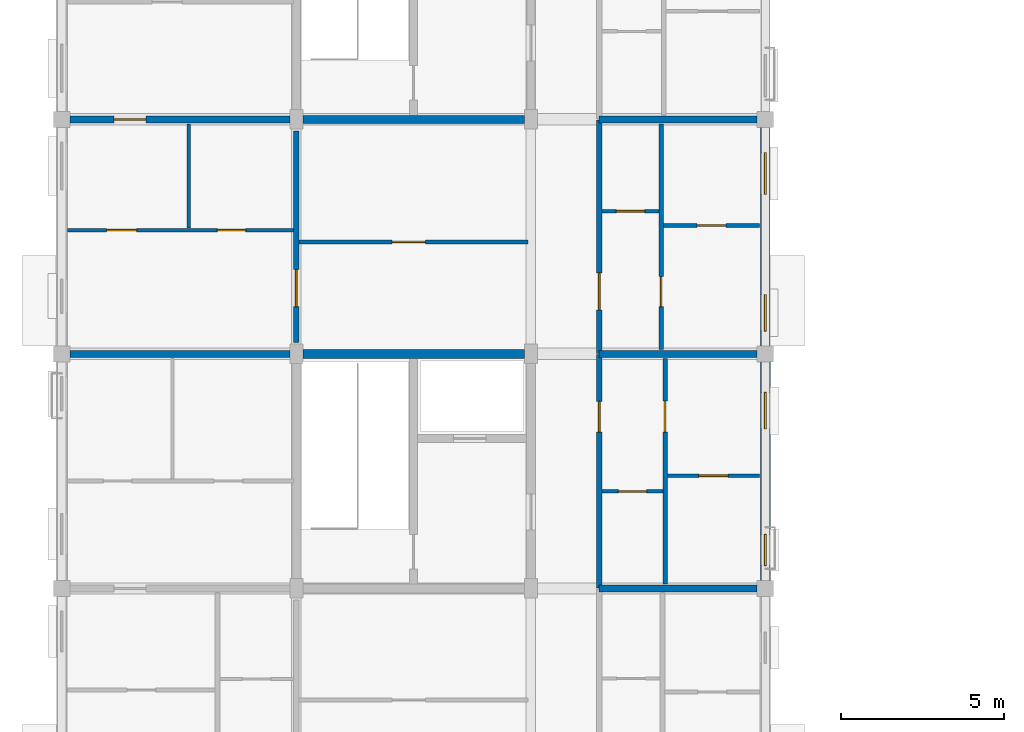
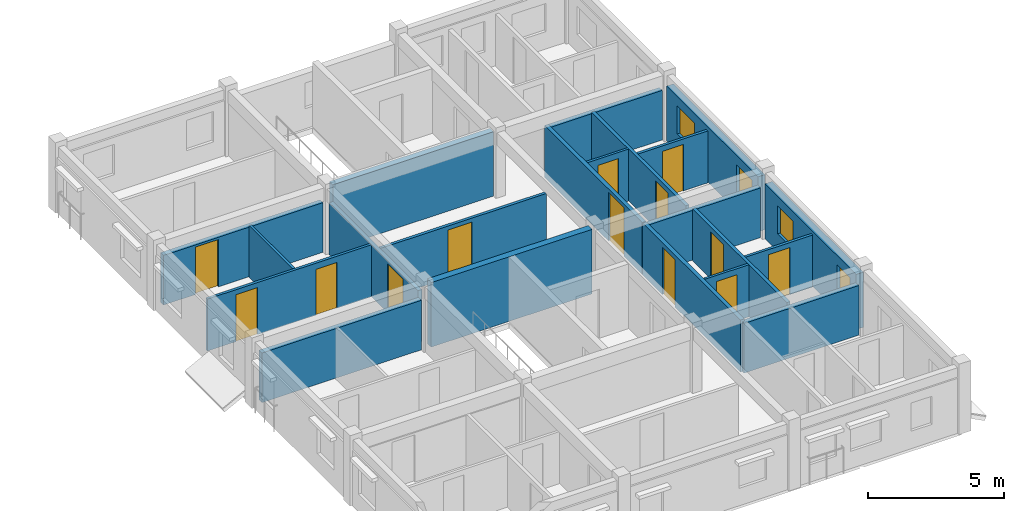
# One storey, part 45 of 64: 21 walls, 13 doors, 4 windows, 17 openings.
"""IFC4 building model written with IfcOpenShell, lengths in metres."""

from ifc_helpers import new_model, si_unit, direction, frame, frame_2d, origin, place, context, subcontext, project, spatial, rectangle, extrude, material, layer, layer_set, type_object, element, fill, save


model = new_model("IFC4")

# Units and contexts
model_context = context("Model", 3, precision=1e-05, world=origin(), true_north=direction((0.0, 1.0)))
body_context = subcontext(model_context, "Body", "Model", "MODEL_VIEW")
ifc_project = project(units=[si_unit("LENGTHUNIT", "METRE"), si_unit("AREAUNIT", "SQUARE_METRE"), si_unit("VOLUMEUNIT", "CUBIC_METRE"), si_unit("PLANEANGLEUNIT", "RADIAN"), si_unit("MASSUNIT", "GRAM", prefix="KILO"), si_unit("THERMODYNAMICTEMPERATUREUNIT", "KELVIN"), si_unit("POWERUNIT", "WATT")], contexts=[model_context])

# Site, building, storey
site_placement = place(None, origin())
site = spatial("IfcSite", under=ifc_project, at=site_placement, CompositionType="ELEMENT")
building_placement = place(site_placement, origin())
building = spatial("IfcBuilding", under=site, at=building_placement, Name="Tavuni Mirador Residences", CompositionType="ELEMENT")
storey_placement = place(building_placement, frame((0.0, 0.0, 26.550048828125)))
storey = spatial("IfcBuildingStorey", under=building, at=storey_placement, Name="L08", CompositionType="ELEMENT", Elevation=26.550048828125)

# Walls
ifc_material_1 = material(Name="Precast concrete C40/50", Category="concrete")
ifc_layer_1 = layer(ifc_material_1, 0.25, Name="Precast concrete C40/50", Category="concrete")
ifc_layer_set_1 = layer_set([ifc_layer_1], Name="Precast concrete C40/50")
wall_type_1 = type_object("IfcWallType", Name="WT-COR250", PredefinedType="SHEAR", material=ifc_layer_set_1)
wall_1_placement = place(storey_placement, frame((11.0, 86.39990234375, 0.0), z_axis=(0.0, 0.0, 1.0), x_axis=(1.0, 0.0, 0.0)))
element("IfcWall", 1, at=wall_1_placement, inside=storey, type_object=wall_type_1, Name="CWALL-C4-L08-SS", PredefinedType="SHEAR", context=body_context, shape_type="SweptSolid", body=[
    extrude(rectangle(XDim=6.800048828125, YDim=0.25, at=frame_2d((3.39990234375, 0.0))), origin(), (0.0, 0.0, 1.0), 2.889892578125),
])
ifc_layer_2 = layer(ifc_material_1, 0.280029296875, Name="Precast concrete C40/50", Category="concrete")
ifc_layer_set_2 = layer_set([ifc_layer_2], Name="Precast concrete C40/50")
wall_type_2 = type_object("IfcWallType", Name="WT-COR280", PredefinedType="SHEAR", material=ifc_layer_set_2)
wall_2_placement = place(storey_placement, frame((11.0, 79.199951171875, 0.0), z_axis=(0.0, 0.0, 1.0), x_axis=(1.0, 0.0, 0.0)))
element("IfcWall", 2, at=wall_2_placement, inside=storey, type_object=wall_type_2, Name="CWALL-C3-L08-N", PredefinedType="SHEAR", context=body_context, shape_type="SweptSolid", body=[
    extrude(rectangle(XDim=6.800048828125, YDim=0.280029296875, at=frame_2d((3.39990234375, 0.0))), origin(), (0.0, 0.0, 1.0), 2.889892578125),
])

# Wall, opening, door
ifc_layer_3 = layer(ifc_material_1, 0.1650390625, Name="Precast concrete C40/50", Category="concrete")
ifc_layer_set_3 = layer_set([ifc_layer_3], Name="Precast concrete C40/50")
wall_type_3 = type_object("IfcWallType", Name="WT-CORR165", PredefinedType="PARTITIONING", material=ifc_layer_set_3)
wall_3_placement = place(storey_placement, frame((20.10009765625, 72.02001953125, 0.0), z_axis=(0.0, 0.0, 1.0), x_axis=(0.0, 1.0, 0.0)))
wall_3 = element("IfcWall", 3, at=wall_3_placement, inside=storey, type_object=wall_type_3, Name="CORW-BLK-B-L08-0-01", PredefinedType="PARTITIONING", context=body_context, shape_type="SweptSolid", body=[
    extrude(rectangle(XDim=7.159912109375, YDim=0.1650390625, at=frame_2d((3.580078125, 0.0))), origin(), (0.0, 0.0, 1.0), 2.324951171875),
])
opening_1_placement = place(wall_3_placement, frame((4.780029296875, 0.0, 0.0)))
opening_1 = element("IfcOpeningElement", 4, at=opening_1_placement, cuts=wall_3, Name="Opening D-19", PredefinedType="OPENING", context=body_context, shape_type="SweptSolid", body=[
    extrude(rectangle(XDim=0.93994140625, YDim=2.1201171875, at=frame_2d((0.469970703125, 1.06005859375))), frame((0.0, 0.092529296875, 0.0), z_axis=(0.0, -1.0, 0.0), x_axis=(1.0, 0.0, 0.0)), (0.0, 0.0, 1.0), 0.18505859375),
])
ifc_material_2 = material(Name="Solid core iroko timber", Category="wood")
door_type_1 = type_object("IfcDoorType", Name="DT-FD60-940", OperationType="NOTDEFINED", PredefinedType="DOOR", material=ifc_material_2)
door_1_placement = place(opening_1_placement, origin())
door_1 = element("IfcDoor", 5, at=door_1_placement, inside=storey, type_object=door_type_1, Name="DR-2590", OperationType="SINGLE_SWING_LEFT", OverallHeight=2.1201171875, OverallWidth=0.93994140625, PredefinedType="DOOR", context=body_context, shape_type="SweptSolid", body=[
    extrude(rectangle(XDim=0.93994140625, YDim=2.1201171875, at=frame_2d((0.469970703125, 1.06005859375))), frame((0.0, 0.02490234375, 0.0), z_axis=(0.0, -1.0, 0.0), x_axis=(1.0, 0.0, 0.0)), (0.0, 0.0, 1.0), 0.050048828125),
])
fill(opening_1, door_1)

wall_4_placement = place(storey_placement, frame((20.10009765625, 79.219970703125, 0.0), z_axis=(0.0, 0.0, 1.0), x_axis=(0.0, 1.0, 0.0)))
wall_4 = element("IfcWall", 6, at=wall_4_placement, inside=storey, type_object=wall_type_3, Name="CORW-BLK-B-L08-0-02", PredefinedType="PARTITIONING", context=body_context, shape_type="SweptSolid", body=[
    extrude(rectangle(XDim=7.159912109375, YDim=0.1650390625, at=frame_2d((3.580078125, 0.0))), origin(), (0.0, 0.0, 1.0), 2.324951171875),
])
opening_2_placement = place(wall_4_placement, frame((1.330078125, 0.0, 0.0)))
opening_2 = element("IfcOpeningElement", 7, at=opening_2_placement, cuts=wall_4, Name="Opening D-20", PredefinedType="OPENING", context=body_context, shape_type="SweptSolid", body=[
    extrude(rectangle(XDim=1.139892578125, YDim=2.179931640625, at=frame_2d((0.56982421875, 1.08984375))), frame((0.0, 0.092529296875, 0.0), z_axis=(0.0, -1.0, 0.0), x_axis=(1.0, 0.0, 0.0)), (0.0, 0.0, 1.0), 0.18505859375),
])
door_type_2 = type_object("IfcDoorType", Name="DT-FD60-1140", OperationType="NOTDEFINED", PredefinedType="DOOR", material=ifc_material_2)
door_2_placement = place(opening_2_placement, origin())
door_2 = element("IfcDoor", 8, at=door_2_placement, inside=storey, type_object=door_type_2, Name="DR-2591", OperationType="SINGLE_SWING_RIGHT", OverallHeight=2.179931640625, OverallWidth=1.139892578125, PredefinedType="DOOR", context=body_context, shape_type="SweptSolid", body=[
    extrude(rectangle(XDim=1.139892578125, YDim=2.179931640625, at=frame_2d((0.56982421875, 1.08984375))), frame((0.0, 0.02490234375, 0.0), z_axis=(0.0, -1.0, 0.0), x_axis=(1.0, 0.0, 0.0)), (0.0, 0.0, 1.0), 0.050048828125),
])
fill(opening_2, door_2)

wall_5_placement = place(storey_placement, frame((10.800048828125, 79.550048828125, 0.0), z_axis=(0.0, 0.0, 1.0), x_axis=(0.0, 1.0, 0.0)))
wall_5 = element("IfcWall", 9, at=wall_5_placement, inside=storey, type_object=wall_type_3, Name="CORW-BLK-B-L08-1-02", PredefinedType="PARTITIONING", context=body_context, shape_type="SweptSolid", body=[
    extrude(rectangle(XDim=6.5, YDim=0.1650390625, at=frame_2d((3.25, 0.0))), origin(), (0.0, 0.0, 1.0), 2.324951171875),
])
opening_3_placement = place(wall_5_placement, frame((1.10009765625, 0.0, 0.0)))
opening_3 = element("IfcOpeningElement", 10, at=opening_3_placement, cuts=wall_5, Name="Opening D-20", PredefinedType="OPENING", context=body_context, shape_type="SweptSolid", body=[
    extrude(rectangle(XDim=1.139892578125, YDim=2.179931640625, at=frame_2d((0.56982421875, 1.08984375))), frame((0.0, 0.092529296875, 0.0), z_axis=(0.0, -1.0, 0.0), x_axis=(1.0, 0.0, 0.0)), (0.0, 0.0, 1.0), 0.18505859375),
])
door_3_placement = place(opening_3_placement, origin())
door_3 = element("IfcDoor", 11, at=door_3_placement, inside=storey, type_object=door_type_2, Name="DR-2594", OperationType="SINGLE_SWING_LEFT", OverallHeight=2.179931640625, OverallWidth=1.139892578125, PredefinedType="DOOR", context=body_context, shape_type="SweptSolid", body=[
    extrude(rectangle(XDim=1.139892578125, YDim=2.179931640625, at=frame_2d((0.56982421875, 1.08984375))), frame((0.0, 0.02490234375, 0.0), z_axis=(0.0, -1.0, 0.0), x_axis=(1.0, 0.0, 0.0)), (0.0, 0.0, 1.0), 0.050048828125),
])
fill(opening_3, door_3)

# Wall, openings, windows
ifc_material_3 = material(Name="Sgraffito lime-rendered precast concrete C40/50", Category="concrete")
ifc_layer_4 = layer(ifc_material_3, 0.2900390625, Name="Sgraffito lime-rendered precast concrete C40/50", Category="concrete")
ifc_layer_set_4 = layer_set([ifc_layer_4], Name="Sgraffito lime-rendered precast concrete C40/50")
wall_type_4 = type_object("IfcWallType", Name="WT-EXT-PC290", PredefinedType="SOLIDWALL", material=ifc_layer_set_4)
wall_6_placement = place(storey_placement, frame((25.199951171875, 79.449951171875, 0.0), z_axis=(0.0, 0.0, 1.0), x_axis=(0.0, 1.0, 0.0)))
wall_6 = element("IfcWall", 12, at=wall_6_placement, inside=storey, type_object=wall_type_4, Name="EW-BLK-B-L08-E02", PredefinedType="SOLIDWALL", context=body_context, shape_type="SweptSolid", body=[
    extrude(rectangle(XDim=6.699951171875, YDim=0.2900390625, at=frame_2d((3.35009765625, 0.0))), origin(), (0.0, 0.0, 1.0), 2.4599609375),
])
opening_4_placement = place(wall_6_placement, frame((0.449951171875, 0.0, 0.780029296875)))
opening_4 = element("IfcOpeningElement", 13, at=opening_4_placement, cuts=wall_6, Name="Opening WN-12", PredefinedType="OPENING", context=body_context, shape_type="SweptSolid", body=[
    extrude(rectangle(XDim=1.1201171875, YDim=1.260009765625, at=frame_2d((0.56005859375, 0.6298828125))), frame((0.0, 0.155029296875, 0.0), z_axis=(0.0, -1.0, 0.0), x_axis=(1.0, 0.0, 0.0)), (0.0, 0.0, 1.0), 0.31005859375),
])
opening_5_placement = place(wall_6_placement, frame((4.64990234375, 0.0, 0.780029296875)))
opening_5 = element("IfcOpeningElement", 14, at=opening_5_placement, cuts=wall_6, Name="Opening WN-14", PredefinedType="OPENING", context=body_context, shape_type="SweptSolid", body=[
    extrude(rectangle(XDim=1.280029296875, YDim=1.260009765625, at=frame_2d((0.64013671875, 0.6298828125))), frame((0.0, 0.155029296875, 0.0), z_axis=(0.0, -1.0, 0.0), x_axis=(1.0, 0.0, 0.0)), (0.0, 0.0, 1.0), 0.31005859375),
])
ifc_material_4 = material(Name="Laminated solar-control glass", Category="glass")
window_type_1 = type_object("IfcWindowType", Name="WNT-12", PartitioningType="SINGLE_PANEL", PredefinedType="WINDOW", material=ifc_material_4)
window_1_placement = place(opening_4_placement, origin())
window_1 = element("IfcWindow", 15, at=window_1_placement, inside=storey, type_object=window_type_1, Name="WIN-0783", OverallHeight=1.260009765625, OverallWidth=1.1201171875, PartitioningType="SINGLE_PANEL", PredefinedType="WINDOW", context=body_context, shape_type="SweptSolid", body=[
    extrude(rectangle(XDim=1.1201171875, YDim=1.260009765625, at=frame_2d((0.56005859375, 0.6298828125))), frame((0.0, 0.030029296875, 0.0), z_axis=(0.0, -1.0, 0.0), x_axis=(1.0, 0.0, 0.0)), (0.0, 0.0, 1.0), 0.06005859375),
])
fill(opening_4, window_1)
window_type_2 = type_object("IfcWindowType", Name="WNT-14", PartitioningType="SINGLE_PANEL", PredefinedType="WINDOW", material=ifc_material_4)
window_2_placement = place(opening_5_placement, origin())
window_2 = element("IfcWindow", 16, at=window_2_placement, inside=storey, type_object=window_type_2, Name="WIN-0784", OverallHeight=1.260009765625, OverallWidth=1.280029296875, PartitioningType="SINGLE_PANEL", PredefinedType="WINDOW", context=body_context, shape_type="SweptSolid", body=[
    extrude(rectangle(XDim=1.280029296875, YDim=1.260009765625, at=frame_2d((0.64013671875, 0.6298828125))), frame((0.0, 0.030029296875, 0.0), z_axis=(0.0, -1.0, 0.0), x_axis=(1.0, 0.0, 0.0)), (0.0, 0.0, 1.0), 0.06005859375),
])
fill(opening_5, window_2)

ifc_layer_5 = layer(ifc_material_3, 0.304931640625, Name="Sgraffito lime-rendered precast concrete C40/50", Category="concrete")
ifc_layer_set_5 = layer_set([ifc_layer_5], Name="Sgraffito lime-rendered precast concrete C40/50")
wall_type_5 = type_object("IfcWallType", Name="WT-EXT-PC305", PredefinedType="SOLIDWALL", material=ifc_layer_set_5)
wall_7_placement = place(storey_placement, frame((25.199951171875, 72.25, 0.0), z_axis=(0.0, 0.0, 1.0), x_axis=(0.0, 1.0, 0.0)))
wall_7 = element("IfcWall", 17, at=wall_7_placement, inside=storey, type_object=wall_type_5, Name="EW-BLK-B-L08-E01", PredefinedType="SOLIDWALL", context=body_context, shape_type="SweptSolid", body=[
    extrude(rectangle(XDim=6.699951171875, YDim=0.304931640625, at=frame_2d((3.35009765625, 0.0))), origin(), (0.0, 0.0, 1.0), 2.4599609375),
])
opening_6_placement = place(wall_7_placement, frame((0.449951171875, 0.0, 0.780029296875)))
opening_6 = element("IfcOpeningElement", 18, at=opening_6_placement, cuts=wall_7, Name="Opening WN-10", PredefinedType="OPENING", context=body_context, shape_type="SweptSolid", body=[
    extrude(rectangle(XDim=0.9599609375, YDim=1.260009765625, at=frame_2d((0.47998046875, 0.6298828125))), frame((0.0, 0.16259765625, 0.0), z_axis=(0.0, -1.0, 0.0), x_axis=(1.0, 0.0, 0.0)), (0.0, 0.0, 1.0), 0.324951171875),
])
opening_7_placement = place(wall_7_placement, frame((4.64990234375, 0.0, 0.780029296875)))
opening_7 = element("IfcOpeningElement", 19, at=opening_7_placement, cuts=wall_7, Name="Opening WN-12", PredefinedType="OPENING", context=body_context, shape_type="SweptSolid", body=[
    extrude(rectangle(XDim=1.1201171875, YDim=1.260009765625, at=frame_2d((0.56005859375, 0.6298828125))), frame((0.0, 0.16259765625, 0.0), z_axis=(0.0, -1.0, 0.0), x_axis=(1.0, 0.0, 0.0)), (0.0, 0.0, 1.0), 0.324951171875),
])
window_type_3 = type_object("IfcWindowType", Name="WNT-10", PartitioningType="SINGLE_PANEL", PredefinedType="WINDOW", material=ifc_material_4)
window_3_placement = place(opening_6_placement, origin())
window_3 = element("IfcWindow", 20, at=window_3_placement, inside=storey, type_object=window_type_3, Name="WIN-0781", OverallHeight=1.260009765625, OverallWidth=0.9599609375, PartitioningType="SINGLE_PANEL", PredefinedType="WINDOW", context=body_context, shape_type="SweptSolid", body=[
    extrude(rectangle(XDim=0.9599609375, YDim=1.260009765625, at=frame_2d((0.47998046875, 0.6298828125))), frame((0.0, 0.030029296875, 0.0), z_axis=(0.0, -1.0, 0.0), x_axis=(1.0, 0.0, 0.0)), (0.0, 0.0, 1.0), 0.06005859375),
])
fill(opening_6, window_3)
window_4_placement = place(opening_7_placement, origin())
window_4 = element("IfcWindow", 21, at=window_4_placement, inside=storey, type_object=window_type_1, Name="WIN-0782", OverallHeight=1.260009765625, OverallWidth=1.1201171875, PartitioningType="SINGLE_PANEL", PredefinedType="WINDOW", context=body_context, shape_type="SweptSolid", body=[
    extrude(rectangle(XDim=1.1201171875, YDim=1.260009765625, at=frame_2d((0.56005859375, 0.6298828125))), frame((0.0, 0.030029296875, 0.0), z_axis=(0.0, -1.0, 0.0), x_axis=(1.0, 0.0, 0.0)), (0.0, 0.0, 1.0), 0.06005859375),
])
fill(opening_7, window_4)

# Wall, opening, door
ifc_material_5 = material(Name="Acoustic gypsum and concrete block partition", Category="concrete")
ifc_layer_6 = layer(ifc_material_5, 0.10498046875, Name="Acoustic gypsum and concrete block partition", Category="concrete")
ifc_layer_set_6 = layer_set([ifc_layer_6], Name="Acoustic gypsum and concrete block partition")
wall_type_6 = type_object("IfcWallType", Name="WT-PART105", PredefinedType="PARTITIONING", material=ifc_layer_set_6)
wall_8_placement = place(storey_placement, frame((20.18994140625, 74.97998046875, 0.0), z_axis=(0.0, 0.0, 1.0), x_axis=(1.0, 0.0, 0.0)))
wall_8 = element("IfcWall", 22, at=wall_8_placement, inside=storey, type_object=wall_type_6, Name="PW-BLK-B-L08-E01-IN1", PredefinedType="PARTITIONING", context=body_context, shape_type="SweptSolid", body=[
    extrude(rectangle(XDim=1.860107421875, YDim=0.10498046875, at=frame_2d((0.93017578125, 0.0))), origin(), (0.0, 0.0, 1.0), 2.324951171875),
])
opening_8_placement = place(wall_8_placement, frame((0.4951171875, 0.0, 0.0)))
opening_8 = element("IfcOpeningElement", 23, at=opening_8_placement, cuts=wall_8, Name="Opening D-10", PredefinedType="OPENING", context=body_context, shape_type="SweptSolid", body=[
    extrude(rectangle(XDim=0.8701171875, YDim=2.050048828125, at=frame_2d((0.43505859375, 1.02490234375))), frame((0.0, 0.0625, 0.0), z_axis=(0.0, -1.0, 0.0), x_axis=(1.0, 0.0, 0.0)), (0.0, 0.0, 1.0), 0.125),
])
door_type_3 = type_object("IfcDoorType", Name="DT-WC870", OperationType="NOTDEFINED", PredefinedType="DOOR", material=ifc_material_2)
door_4_placement = place(opening_8_placement, origin())
door_4 = element("IfcDoor", 24, at=door_4_placement, inside=storey, type_object=door_type_3, Name="DR-3632", OperationType="SINGLE_SWING_RIGHT", OverallHeight=2.050048828125, OverallWidth=0.8701171875, PredefinedType="DOOR", context=body_context, shape_type="SweptSolid", body=[
    extrude(rectangle(XDim=0.8701171875, YDim=2.050048828125, at=frame_2d((0.43505859375, 1.02490234375))), frame((0.0, 0.02490234375, 0.0), z_axis=(0.0, -1.0, 0.0), x_axis=(1.0, 0.0, 0.0)), (0.0, 0.0, 1.0), 0.050048828125),
])
fill(opening_8, door_4)

# Wall
wall_9_placement = place(storey_placement, frame((7.5, 83.070068359375, 0.0), z_axis=(0.0, 0.0, 1.0), x_axis=(0.0, 1.0, 0.0)))
element("IfcWall", 25, at=wall_9_placement, inside=storey, type_object=wall_type_6, Name="PW-BLK-B-L08-PF02-V", PredefinedType="PARTITIONING", context=body_context, shape_type="SweptSolid", body=[
    extrude(rectangle(XDim=3.18994140625, YDim=0.10498046875, at=frame_2d((1.594970703125, 0.0))), origin(), (0.0, 0.0, 1.0), 2.324951171875),
])

# Wall, opening, door
wall_10_placement = place(storey_placement, frame((20.18994140625, 83.580078125, 0.0), z_axis=(0.0, 0.0, 1.0), x_axis=(1.0, 0.0, 0.0)))
wall_10 = element("IfcWall", 26, at=wall_10_placement, inside=storey, type_object=wall_type_6, Name="PW-BLK-B-L08-E02-IN1", PredefinedType="PARTITIONING", context=body_context, shape_type="SweptSolid", body=[
    extrude(rectangle(XDim=1.739990234375, YDim=0.10498046875, at=frame_2d((0.8701171875, 0.0))), origin(), (0.0, 0.0, 1.0), 2.324951171875),
])
opening_9_placement = place(wall_10_placement, frame((0.43505859375, 0.0, 0.0)))
opening_9 = element("IfcOpeningElement", 27, at=opening_9_placement, cuts=wall_10, Name="Opening D-10", PredefinedType="OPENING", context=body_context, shape_type="SweptSolid", body=[
    extrude(rectangle(XDim=0.8701171875, YDim=2.050048828125, at=frame_2d((0.43505859375, 1.02490234375))), frame((0.0, 0.0625, 0.0), z_axis=(0.0, -1.0, 0.0), x_axis=(1.0, 0.0, 0.0)), (0.0, 0.0, 1.0), 0.125),
])
door_5_placement = place(opening_9_placement, origin())
door_5 = element("IfcDoor", 28, at=door_5_placement, inside=storey, type_object=door_type_3, Name="DR-3638", OperationType="SINGLE_SWING_LEFT", OverallHeight=2.050048828125, OverallWidth=0.8701171875, PredefinedType="DOOR", context=body_context, shape_type="SweptSolid", body=[
    extrude(rectangle(XDim=0.8701171875, YDim=2.050048828125, at=frame_2d((0.43505859375, 1.02490234375))), frame((0.0, 0.02490234375, 0.0), z_axis=(0.0, -1.0, 0.0), x_axis=(1.0, 0.0, 0.0)), (0.0, 0.0, 1.0), 0.050048828125),
])
fill(opening_9, door_5)

ifc_layer_7 = layer(ifc_material_5, 0.114990234375, Name="Acoustic gypsum and concrete block partition", Category="concrete")
ifc_layer_set_7 = layer_set([ifc_layer_7], Name="Acoustic gypsum and concrete block partition")
wall_type_7 = type_object("IfcWallType", Name="WT-PART115", PredefinedType="PARTITIONING", material=ifc_layer_set_7)
wall_11_placement = place(storey_placement, frame((22.18994140625, 75.4599609375, 0.0), z_axis=(0.0, 0.0, 1.0), x_axis=(1.0, 0.0, 0.0)))
wall_11 = element("IfcWall", 29, at=wall_11_placement, inside=storey, type_object=wall_type_7, Name="PW-BLK-B-L08-E01-OUT", PredefinedType="PARTITIONING", context=body_context, shape_type="SweptSolid", body=[
    extrude(rectangle(XDim=2.8349609375, YDim=0.114990234375, at=frame_2d((1.41748046875, 0.0))), origin(), (0.0, 0.0, 1.0), 2.324951171875),
])
opening_10_placement = place(wall_11_placement, frame((0.967529296875, 0.0, 0.0)))
opening_10 = element("IfcOpeningElement", 30, at=opening_10_placement, cuts=wall_11, Name="Opening D-07", PredefinedType="OPENING", context=body_context, shape_type="SweptSolid", body=[
    extrude(rectangle(XDim=0.89990234375, YDim=2.10009765625, at=frame_2d((0.449951171875, 1.050048828125))), frame((0.0, 0.0673828125, 0.0), z_axis=(0.0, -1.0, 0.0), x_axis=(1.0, 0.0, 0.0)), (0.0, 0.0, 1.0), 0.135009765625),
])
door_type_4 = type_object("IfcDoorType", Name="DT-BED900", OperationType="NOTDEFINED", PredefinedType="DOOR", material=ifc_material_2)
door_6_placement = place(opening_10_placement, origin())
door_6 = element("IfcDoor", 31, at=door_6_placement, inside=storey, type_object=door_type_4, Name="DR-3631", OperationType="SINGLE_SWING_LEFT", OverallHeight=2.10009765625, OverallWidth=0.89990234375, PredefinedType="DOOR", context=body_context, shape_type="SweptSolid", body=[
    extrude(rectangle(XDim=0.89990234375, YDim=2.10009765625, at=frame_2d((0.449951171875, 1.050048828125))), frame((0.0, 0.02490234375, 0.0), z_axis=(0.0, -1.0, 0.0), x_axis=(1.0, 0.0, 0.0)), (0.0, 0.0, 1.0), 0.050048828125),
])
fill(opening_10, door_6)

# Wall, openings, doors
wall_12_placement = place(storey_placement, frame((3.77490234375, 83.0, 0.0), z_axis=(0.0, 0.0, 1.0), x_axis=(1.0, 0.0, 0.0)))
wall_12 = element("IfcWall", 32, at=wall_12_placement, inside=storey, type_object=wall_type_7, Name="PW-BLK-B-L08-PF02-H", PredefinedType="PARTITIONING", context=body_context, shape_type="SweptSolid", body=[
    extrude(rectangle(XDim=6.93505859375, YDim=0.114990234375, at=frame_2d((3.467529296875, 0.0))), origin(), (0.0, 0.0, 1.0), 2.324951171875),
])
opening_11_placement = place(wall_12_placement, frame((4.60009765625, 0.0, 0.0)))
opening_11 = element("IfcOpeningElement", 33, at=opening_11_placement, cuts=wall_12, Name="Opening D-10", PredefinedType="OPENING", context=body_context, shape_type="SweptSolid", body=[
    extrude(rectangle(XDim=0.8701171875, YDim=2.050048828125, at=frame_2d((0.43505859375, 1.02490234375))), frame((0.0, 0.0673828125, 0.0), z_axis=(0.0, -1.0, 0.0), x_axis=(1.0, 0.0, 0.0)), (0.0, 0.0, 1.0), 0.135009765625),
])
opening_12_placement = place(wall_12_placement, frame((1.199951171875, 0.0, 0.0)))
opening_12 = element("IfcOpeningElement", 34, at=opening_12_placement, cuts=wall_12, Name="Opening D-06", PredefinedType="OPENING", context=body_context, shape_type="SweptSolid", body=[
    extrude(rectangle(XDim=0.919921875, YDim=2.10009765625, at=frame_2d((0.4599609375, 1.050048828125))), frame((0.0, 0.0673828125, 0.0), z_axis=(0.0, -1.0, 0.0), x_axis=(1.0, 0.0, 0.0)), (0.0, 0.0, 1.0), 0.135009765625),
])
door_type_5 = type_object("IfcDoorType", Name="DT-INT920", OperationType="NOTDEFINED", PredefinedType="DOOR", material=ifc_material_2)
door_7_placement = place(opening_12_placement, origin())
door_7 = element("IfcDoor", 35, at=door_7_placement, inside=storey, type_object=door_type_5, Name="DR-3636", OperationType="SINGLE_SWING_RIGHT", OverallHeight=2.10009765625, OverallWidth=0.919921875, PredefinedType="DOOR", context=body_context, shape_type="SweptSolid", body=[
    extrude(rectangle(XDim=0.919921875, YDim=2.10009765625, at=frame_2d((0.4599609375, 1.050048828125))), frame((0.0, 0.02490234375, 0.0), z_axis=(0.0, -1.0, 0.0), x_axis=(1.0, 0.0, 0.0)), (0.0, 0.0, 1.0), 0.050048828125),
])
fill(opening_12, door_7)
door_8_placement = place(opening_11_placement, origin())
door_8 = element("IfcDoor", 36, at=door_8_placement, inside=storey, type_object=door_type_3, Name="DR-3635", OperationType="SINGLE_SWING_LEFT", OverallHeight=2.050048828125, OverallWidth=0.8701171875, PredefinedType="DOOR", context=body_context, shape_type="SweptSolid", body=[
    extrude(rectangle(XDim=0.8701171875, YDim=2.050048828125, at=frame_2d((0.43505859375, 1.02490234375))), frame((0.0, 0.02490234375, 0.0), z_axis=(0.0, -1.0, 0.0), x_axis=(1.0, 0.0, 0.0)), (0.0, 0.0, 1.0), 0.050048828125),
])
fill(opening_11, door_8)

# Wall, opening, door
wall_13_placement = place(storey_placement, frame((22.070068359375, 83.139892578125, 0.0), z_axis=(0.0, 0.0, 1.0), x_axis=(1.0, 0.0, 0.0)))
wall_13 = element("IfcWall", 37, at=wall_13_placement, inside=storey, type_object=wall_type_7, Name="PW-BLK-B-L08-E02-OUT", PredefinedType="PARTITIONING", context=body_context, shape_type="SweptSolid", body=[
    extrude(rectangle(XDim=2.954833984375, YDim=0.114990234375, at=frame_2d((1.4775390625, 0.0))), origin(), (0.0, 0.0, 1.0), 2.324951171875),
])
opening_13_placement = place(wall_13_placement, frame((1.03759765625, 0.0, 0.0)))
opening_13 = element("IfcOpeningElement", 38, at=opening_13_placement, cuts=wall_13, Name="Opening D-08", PredefinedType="OPENING", context=body_context, shape_type="SweptSolid", body=[
    extrude(rectangle(XDim=0.8798828125, YDim=2.080078125, at=frame_2d((0.43994140625, 1.0400390625))), frame((0.0, 0.0673828125, 0.0), z_axis=(0.0, -1.0, 0.0), x_axis=(1.0, 0.0, 0.0)), (0.0, 0.0, 1.0), 0.135009765625),
])
door_type_6 = type_object("IfcDoorType", Name="DT-BED880", OperationType="NOTDEFINED", PredefinedType="DOOR", material=ifc_material_2)
door_9_placement = place(opening_13_placement, origin())
door_9 = element("IfcDoor", 39, at=door_9_placement, inside=storey, type_object=door_type_6, Name="DR-3637", OperationType="SINGLE_SWING_RIGHT", OverallHeight=2.080078125, OverallWidth=0.8798828125, PredefinedType="DOOR", context=body_context, shape_type="SweptSolid", body=[
    extrude(rectangle(XDim=0.8798828125, YDim=2.080078125, at=frame_2d((0.43994140625, 1.0400390625))), frame((0.0, 0.02490234375, 0.0), z_axis=(0.0, -1.0, 0.0), x_axis=(1.0, 0.0, 0.0)), (0.0, 0.0, 1.0), 0.050048828125),
])
fill(opening_13, door_9)

ifc_layer_8 = layer(ifc_material_5, 0.125, Name="Acoustic gypsum and concrete block partition", Category="concrete")
ifc_layer_set_8 = layer_set([ifc_layer_8], Name="Acoustic gypsum and concrete block partition")
wall_type_8 = type_object("IfcWallType", Name="WT-PART125", PredefinedType="PARTITIONING", material=ifc_layer_set_8)
wall_14_placement = place(storey_placement, frame((10.889892578125, 82.639892578125, 0.0), z_axis=(0.0, 0.0, 1.0), x_axis=(1.0, 0.0, 0.0)))
wall_14 = element("IfcWall", 40, at=wall_14_placement, inside=storey, type_object=wall_type_8, Name="PW-SPN-BLK-B-L08-02", PredefinedType="PARTITIONING", context=body_context, shape_type="SweptSolid", body=[
    extrude(rectangle(XDim=7.02001953125, YDim=0.125, at=frame_2d((3.510009765625, 0.0))), origin(), (0.0, 0.0, 1.0), 2.324951171875),
])
opening_14_placement = place(wall_14_placement, frame((2.85009765625, 0.0, 0.0)))
opening_14 = element("IfcOpeningElement", 41, at=opening_14_placement, cuts=wall_14, Name="Opening D-13", PredefinedType="OPENING", context=body_context, shape_type="SweptSolid", body=[
    extrude(rectangle(XDim=1.02001953125, YDim=2.14990234375, at=frame_2d((0.510009765625, 1.074951171875))), frame((0.0, 0.072509765625, 0.0), z_axis=(0.0, -1.0, 0.0), x_axis=(1.0, 0.0, 0.0)), (0.0, 0.0, 1.0), 0.14501953125),
])
door_type_7 = type_object("IfcDoorType", Name="DT-MTG1020", OperationType="NOTDEFINED", PredefinedType="DOOR", material=ifc_material_2)
door_10_placement = place(opening_14_placement, origin())
door_10 = element("IfcDoor", 42, at=door_10_placement, inside=storey, type_object=door_type_7, Name="DR-3634", OperationType="SINGLE_SWING_LEFT", OverallHeight=2.14990234375, OverallWidth=1.02001953125, PredefinedType="DOOR", context=body_context, shape_type="SweptSolid", body=[
    extrude(rectangle(XDim=1.02001953125, YDim=2.14990234375, at=frame_2d((0.510009765625, 1.074951171875))), frame((0.0, 0.02490234375, 0.0), z_axis=(0.0, -1.0, 0.0), x_axis=(1.0, 0.0, 0.0)), (0.0, 0.0, 1.0), 0.050048828125),
])
fill(opening_14, door_10)

ifc_layer_9 = layer(ifc_material_5, 0.139892578125, Name="Acoustic gypsum and concrete block partition", Category="concrete")
ifc_layer_set_9 = layer_set([ifc_layer_9], Name="Acoustic gypsum and concrete block partition")
wall_type_9 = type_object("IfcWallType", Name="WT-PART140", PredefinedType="PARTITIONING", material=ifc_layer_set_9)
wall_15_placement = place(storey_placement, frame((22.1201171875, 72.139892578125, 0.0), z_axis=(0.0, 0.0, 1.0), x_axis=(0.0, 1.0, 0.0)))
wall_15 = element("IfcWall", 43, at=wall_15_placement, inside=storey, type_object=wall_type_9, Name="PW-BLK-B-L08-E01-MID", PredefinedType="PARTITIONING", context=body_context, shape_type="SweptSolid", body=[
    extrude(rectangle(XDim=6.920166015625, YDim=0.139892578125, at=frame_2d((3.4599609375, 0.0))), origin(), (0.0, 0.0, 1.0), 2.324951171875),
])
opening_15_placement = place(wall_15_placement, frame((4.659912109375, 0.0, 0.0)))
opening_15 = element("IfcOpeningElement", 44, at=opening_15_placement, cuts=wall_15, Name="Opening D-05", PredefinedType="OPENING", context=body_context, shape_type="SweptSolid", body=[
    extrude(rectangle(XDim=0.949951171875, YDim=2.10009765625, at=frame_2d((0.47509765625, 1.050048828125))), frame((0.0, 0.080078125, 0.0), z_axis=(0.0, -1.0, 0.0), x_axis=(1.0, 0.0, 0.0)), (0.0, 0.0, 1.0), 0.159912109375),
])
door_type_8 = type_object("IfcDoorType", Name="DT-INT950", OperationType="NOTDEFINED", PredefinedType="DOOR", material=ifc_material_2)
door_11_placement = place(opening_15_placement, origin())
door_11 = element("IfcDoor", 45, at=door_11_placement, inside=storey, type_object=door_type_8, Name="DR-3633", OperationType="SINGLE_SWING_LEFT", OverallHeight=2.10009765625, OverallWidth=0.949951171875, PredefinedType="DOOR", context=body_context, shape_type="SweptSolid", body=[
    extrude(rectangle(XDim=0.949951171875, YDim=2.10009765625, at=frame_2d((0.47509765625, 1.050048828125))), frame((0.0, 0.02490234375, 0.0), z_axis=(0.0, -1.0, 0.0), x_axis=(1.0, 0.0, 0.0)), (0.0, 0.0, 1.0), 0.050048828125),
])
fill(opening_15, door_11)

wall_16_placement = place(storey_placement, frame((22.0, 79.340087890625, 0.0), z_axis=(0.0, 0.0, 1.0), x_axis=(0.0, 1.0, 0.0)))
wall_16 = element("IfcWall", 46, at=wall_16_placement, inside=storey, type_object=wall_type_9, Name="PW-BLK-B-L08-E02-MID", PredefinedType="PARTITIONING", context=body_context, shape_type="SweptSolid", body=[
    extrude(rectangle(XDim=6.919921875, YDim=0.139892578125, at=frame_2d((3.4599609375, 0.0))), origin(), (0.0, 0.0, 1.0), 2.324951171875),
])
opening_16_placement = place(wall_16_placement, frame((1.31005859375, 0.0, 0.0)))
opening_16 = element("IfcOpeningElement", 47, at=opening_16_placement, cuts=wall_16, Name="Opening D-06", PredefinedType="OPENING", context=body_context, shape_type="SweptSolid", body=[
    extrude(rectangle(XDim=0.919921875, YDim=2.10009765625, at=frame_2d((0.4599609375, 1.050048828125))), frame((0.0, 0.080078125, 0.0), z_axis=(0.0, -1.0, 0.0), x_axis=(1.0, 0.0, 0.0)), (0.0, 0.0, 1.0), 0.159912109375),
])
door_12_placement = place(opening_16_placement, origin())
door_12 = element("IfcDoor", 48, at=door_12_placement, inside=storey, type_object=door_type_5, Name="DR-3639", OperationType="SINGLE_SWING_RIGHT", OverallHeight=2.10009765625, OverallWidth=0.919921875, PredefinedType="DOOR", context=body_context, shape_type="SweptSolid", body=[
    extrude(rectangle(XDim=0.919921875, YDim=2.10009765625, at=frame_2d((0.4599609375, 1.050048828125))), frame((0.0, 0.02490234375, 0.0), z_axis=(0.0, -1.0, 0.0), x_axis=(1.0, 0.0, 0.0)), (0.0, 0.0, 1.0), 0.050048828125),
])
fill(opening_16, door_12)

# Walls
ifc_layer_10 = layer(ifc_material_1, 0.215087890625, Name="Precast concrete C40/50", Category="concrete")
ifc_layer_set_10 = layer_set([ifc_layer_10], Name="Precast concrete C40/50")
wall_type_10 = type_object("IfcWallType", Name="WT-XW215", PredefinedType="SOLIDWALL", material=ifc_layer_set_10)
wall_17_placement = place(storey_placement, frame((20.10009765625, 72.0, 0.0), z_axis=(0.0, 0.0, 1.0), x_axis=(1.0, 0.0, 0.0)))
element("IfcWall", 49, at=wall_17_placement, inside=storey, type_object=wall_type_10, Name="XW-BLK-B-L08-E-01", PredefinedType="SOLIDWALL", context=body_context, shape_type="SweptSolid", body=[
    extrude(rectangle(XDim=4.849853515625, YDim=0.215087890625, at=frame_2d((2.4248046875, 0.0))), origin(), (0.0, 0.0, 1.0), 2.219970703125),
])
wall_18_placement = place(storey_placement, frame((3.85009765625, 79.199951171875, 0.0), z_axis=(0.0, 0.0, 1.0), x_axis=(1.0, 0.0, 0.0)))
element("IfcWall", 50, at=wall_18_placement, inside=storey, type_object=wall_type_10, Name="XW-BLK-B-L08-W-02", PredefinedType="SOLIDWALL", context=body_context, shape_type="SweptSolid", body=[
    extrude(rectangle(XDim=6.75, YDim=0.215087890625, at=frame_2d((3.375, 0.0))), origin(), (0.0, 0.0, 1.0), 2.219970703125),
])
wall_19_placement = place(storey_placement, frame((20.10009765625, 79.199951171875, 0.0), z_axis=(0.0, 0.0, 1.0), x_axis=(1.0, 0.0, 0.0)))
element("IfcWall", 51, at=wall_19_placement, inside=storey, type_object=wall_type_10, Name="XW-BLK-B-L08-E-02", PredefinedType="SOLIDWALL", context=body_context, shape_type="SweptSolid", body=[
    extrude(rectangle(XDim=4.849853515625, YDim=0.215087890625, at=frame_2d((2.4248046875, 0.0))), origin(), (0.0, 0.0, 1.0), 2.219970703125),
])

# Wall, opening, door
wall_20_placement = place(storey_placement, frame((3.85009765625, 86.39990234375, 0.0), z_axis=(0.0, 0.0, 1.0), x_axis=(1.0, 0.0, 0.0)))
wall_20 = element("IfcWall", 52, at=wall_20_placement, inside=storey, type_object=wall_type_10, Name="XW-BLK-B-L08-W-03", PredefinedType="SOLIDWALL", context=body_context, shape_type="SweptSolid", body=[
    extrude(rectangle(XDim=6.75, YDim=0.215087890625, at=frame_2d((3.375, 0.0))), origin(), (0.0, 0.0, 1.0), 2.219970703125),
])
opening_17_placement = place(wall_20_placement, frame((1.35009765625, 0.0, 0.0)))
opening_17 = element("IfcOpeningElement", 53, at=opening_17_placement, cuts=wall_20, Name="Opening D-04", PredefinedType="OPENING", context=body_context, shape_type="SweptSolid", body=[
    extrude(rectangle(XDim=0.97998046875, YDim=2.1201171875, at=frame_2d((0.489990234375, 1.06005859375))), frame((0.0, 0.11767578125, 0.0), z_axis=(0.0, -1.0, 0.0), x_axis=(1.0, 0.0, 0.0)), (0.0, 0.0, 1.0), 0.235107421875),
])
door_type_9 = type_object("IfcDoorType", Name="DT-FD60-980", OperationType="NOTDEFINED", PredefinedType="DOOR", material=ifc_material_2)
door_13_placement = place(opening_17_placement, origin())
door_13 = element("IfcDoor", 54, at=door_13_placement, inside=storey, type_object=door_type_9, Name="DR-4725", OperationType="SINGLE_SWING_RIGHT", OverallHeight=2.1201171875, OverallWidth=0.97998046875, PredefinedType="DOOR", context=body_context, shape_type="SweptSolid", body=[
    extrude(rectangle(XDim=0.97998046875, YDim=2.1201171875, at=frame_2d((0.489990234375, 1.06005859375))), frame((0.0, 0.02490234375, 0.0), z_axis=(0.0, -1.0, 0.0), x_axis=(1.0, 0.0, 0.0)), (0.0, 0.0, 1.0), 0.050048828125),
])
fill(opening_17, door_13)

# Wall
wall_21_placement = place(storey_placement, frame((20.10009765625, 86.39990234375, 0.0), z_axis=(0.0, 0.0, 1.0), x_axis=(1.0, 0.0, 0.0)))
element("IfcWall", 55, at=wall_21_placement, inside=storey, type_object=wall_type_10, Name="XW-BLK-B-L08-E-03", PredefinedType="SOLIDWALL", context=body_context, shape_type="SweptSolid", body=[
    extrude(rectangle(XDim=4.849853515625, YDim=0.215087890625, at=frame_2d((2.4248046875, 0.0))), origin(), (0.0, 0.0, 1.0), 2.219970703125),
])

save(model, "model.ifc")
